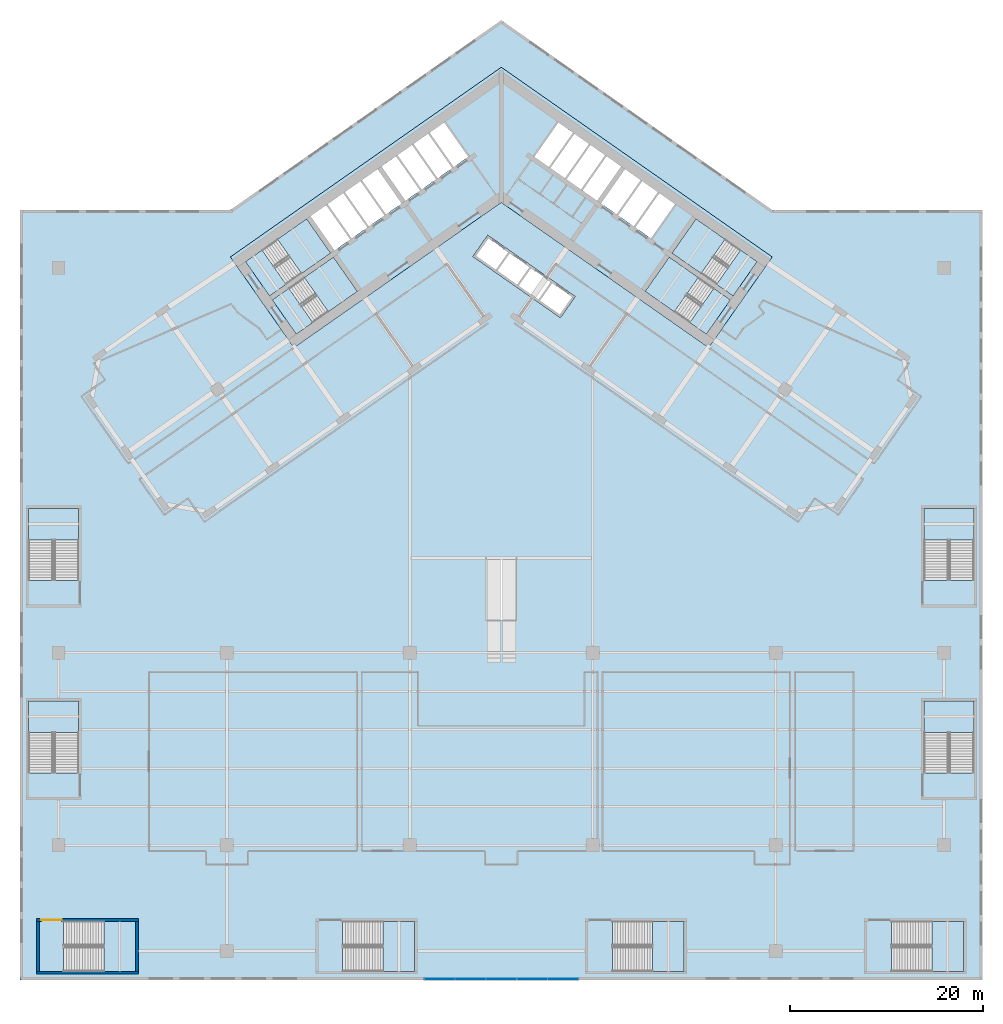
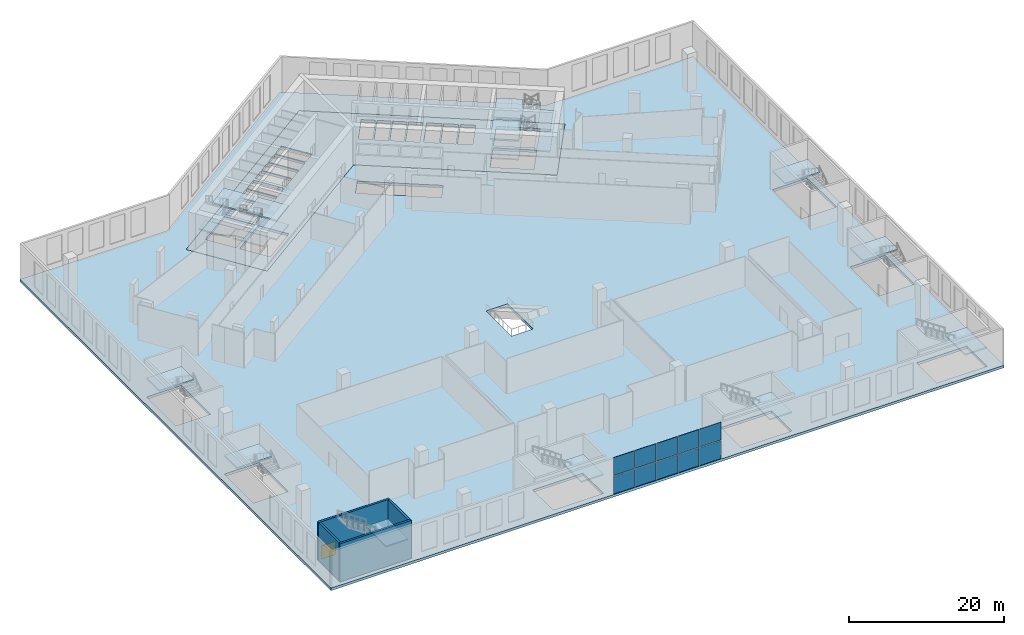
# One storey, part 4 of 25: 22 slabs, 10 plates, 4 walls, 1 door, 1 opening, 13 elements without a shape of their own.
"""IFC4 building model written with IfcOpenShell, lengths in metres."""

from ifc_helpers import new_model, si_unit, direction, frame, frame_2d, origin, origin_2d, place, context, subcontext, project, spatial, polyline, rectangle, outline, extrude, material, layer, layer_set, type_object, element, fill, aggregate, save


model = new_model("IFC4")

# Units and contexts
model_context = context("Model", 3, precision=1e-05, world=origin(), true_north=direction((0.0, 1.0)))
body_context = subcontext(model_context, "Body", "Model", "MODEL_VIEW")
ifc_project = project(units=[si_unit("LENGTHUNIT", "METRE"), si_unit("AREAUNIT", "SQUARE_METRE"), si_unit("VOLUMEUNIT", "CUBIC_METRE"), si_unit("PLANEANGLEUNIT", "RADIAN"), si_unit("MASSUNIT", "GRAM", prefix="KILO")], contexts=[model_context])

# Site, building, storey
site_placement = place(None, origin())
site = spatial("IfcSite", under=ifc_project, at=site_placement, CompositionType="ELEMENT")
building_placement = place(site_placement, origin())
building = spatial("IfcBuilding", under=site, at=building_placement, Name="Tel Ilan Convention Tower", CompositionType="ELEMENT")
storey_placement = place(building_placement, frame((0.0, 0.0, 26.0)))
storey = spatial("IfcBuildingStorey", under=building, at=storey_placement, Name="L03", CompositionType="ELEMENT", Elevation=26.0)

# Curtain wall, plates
ifc_material_1 = material(Name="Aluminium, bronze anodised", Category="aluminium")
curtain_wall_type = type_object("IfcCurtainWallType", Name="CW3 FOYER CURTAIN WALL, CLEAR GLASS", PredefinedType="NOTDEFINED", material=ifc_material_1)
curtain_wall_placement = place(storey_placement, origin())
curtain_wall = element("IfcCurtainWall", 1, at=curtain_wall_placement, inside=storey, type_object=curtain_wall_type, Name="Curtain wall CW3-06.F01", PredefinedType="NOTDEFINED")
ifc_material_2 = material(Name="Glass, clear, two-ply", Category="glass")
ifc_layer_1 = layer(ifc_material_2, 0.028076171875)
ifc_layer_set_1 = layer_set([ifc_layer_1], Name="CW FOYER GLASS PANEL 28")
plate_type = type_object("IfcPlateType", Name="CW FOYER GLASS PANEL 28", PredefinedType="CURTAIN_PANEL", material=ifc_layer_set_1)
plate_1_placement = place(storey_placement, frame((-6.39990234375, -81.89990234375, 0.0), z_axis=(0.0, 0.0, 1.0), x_axis=(1.0, 0.0, 0.0)))
plate_1 = element("IfcPlate", 2, at=plate_1_placement, type_object=plate_type, Name="Glass panel", PredefinedType="CURTAIN_PANEL", context=body_context, shape_type="SweptSolid", body=[
    extrude(rectangle(XDim=3.139892578125, YDim=0.028076171875, at=origin_2d()), origin(), (0.0, 0.0, 1.0), 2.800048828125),
])
plate_2_placement = place(storey_placement, frame((-6.39990234375, -81.89990234375, 2.919921875), z_axis=(0.0, 0.0, 1.0), x_axis=(1.0, 0.0, 0.0)))
plate_2 = element("IfcPlate", 3, at=plate_2_placement, type_object=plate_type, Name="Glass panel", PredefinedType="CURTAIN_PANEL", context=body_context, shape_type="SweptSolid", body=[
    extrude(rectangle(XDim=3.139892578125, YDim=0.028076171875, at=origin_2d()), origin(), (0.0, 0.0, 1.0), 2.800048828125),
])
plate_3_placement = place(storey_placement, frame((-3.199951171875, -81.89990234375, 0.0), z_axis=(0.0, 0.0, 1.0), x_axis=(1.0, 0.0, 0.0)))
plate_3 = element("IfcPlate", 4, at=plate_3_placement, type_object=plate_type, Name="Glass panel", PredefinedType="CURTAIN_PANEL", context=body_context, shape_type="SweptSolid", body=[
    extrude(rectangle(XDim=3.139892578125, YDim=0.028076171875, at=origin_2d()), origin(), (0.0, 0.0, 1.0), 2.800048828125),
])
plate_4_placement = place(storey_placement, frame((-3.199951171875, -81.89990234375, 2.919921875), z_axis=(0.0, 0.0, 1.0), x_axis=(1.0, 0.0, 0.0)))
plate_4 = element("IfcPlate", 5, at=plate_4_placement, type_object=plate_type, Name="Glass panel", PredefinedType="CURTAIN_PANEL", context=body_context, shape_type="SweptSolid", body=[
    extrude(rectangle(XDim=3.139892578125, YDim=0.028076171875, at=origin_2d()), origin(), (0.0, 0.0, 1.0), 2.800048828125),
])
plate_5_placement = place(storey_placement, frame((0.0, -81.89990234375, 0.0), z_axis=(0.0, 0.0, 1.0), x_axis=(1.0, 0.0, 0.0)))
plate_5 = element("IfcPlate", 6, at=plate_5_placement, type_object=plate_type, Name="Glass panel", PredefinedType="CURTAIN_PANEL", context=body_context, shape_type="SweptSolid", body=[
    extrude(rectangle(XDim=3.139892578125, YDim=0.028076171875, at=origin_2d()), origin(), (0.0, 0.0, 1.0), 2.800048828125),
])
plate_6_placement = place(storey_placement, frame((0.0, -81.89990234375, 2.919921875), z_axis=(0.0, 0.0, 1.0), x_axis=(1.0, 0.0, 0.0)))
plate_6 = element("IfcPlate", 7, at=plate_6_placement, type_object=plate_type, Name="Glass panel", PredefinedType="CURTAIN_PANEL", context=body_context, shape_type="SweptSolid", body=[
    extrude(rectangle(XDim=3.139892578125, YDim=0.028076171875, at=origin_2d()), origin(), (0.0, 0.0, 1.0), 2.800048828125),
])
plate_7_placement = place(storey_placement, frame((3.199951171875, -81.89990234375, 0.0), z_axis=(0.0, 0.0, 1.0), x_axis=(1.0, 0.0, 0.0)))
plate_7 = element("IfcPlate", 8, at=plate_7_placement, type_object=plate_type, Name="Glass panel", PredefinedType="CURTAIN_PANEL", context=body_context, shape_type="SweptSolid", body=[
    extrude(rectangle(XDim=3.139892578125, YDim=0.028076171875, at=origin_2d()), origin(), (0.0, 0.0, 1.0), 2.800048828125),
])
plate_8_placement = place(storey_placement, frame((3.199951171875, -81.89990234375, 2.919921875), z_axis=(0.0, 0.0, 1.0), x_axis=(1.0, 0.0, 0.0)))
plate_8 = element("IfcPlate", 9, at=plate_8_placement, type_object=plate_type, Name="Glass panel", PredefinedType="CURTAIN_PANEL", context=body_context, shape_type="SweptSolid", body=[
    extrude(rectangle(XDim=3.139892578125, YDim=0.028076171875, at=origin_2d()), origin(), (0.0, 0.0, 1.0), 2.800048828125),
])
plate_9_placement = place(storey_placement, frame((6.39990234375, -81.89990234375, 0.0), z_axis=(0.0, 0.0, 1.0), x_axis=(1.0, 0.0, 0.0)))
plate_9 = element("IfcPlate", 10, at=plate_9_placement, type_object=plate_type, Name="Glass panel", PredefinedType="CURTAIN_PANEL", context=body_context, shape_type="SweptSolid", body=[
    extrude(rectangle(XDim=3.139892578125, YDim=0.028076171875, at=origin_2d()), origin(), (0.0, 0.0, 1.0), 2.800048828125),
])
plate_10_placement = place(storey_placement, frame((6.39990234375, -81.89990234375, 2.919921875), z_axis=(0.0, 0.0, 1.0), x_axis=(1.0, 0.0, 0.0)))
plate_10 = element("IfcPlate", 11, at=plate_10_placement, type_object=plate_type, Name="Glass panel", PredefinedType="CURTAIN_PANEL", context=body_context, shape_type="SweptSolid", body=[
    extrude(rectangle(XDim=3.139892578125, YDim=0.028076171875, at=origin_2d()), origin(), (0.0, 0.0, 1.0), 2.800048828125),
])
aggregate(curtain_wall, [plate_1, plate_2, plate_3, plate_4, plate_5, plate_6, plate_7, plate_8, plate_9, plate_10])

# Stair, slabs
ifc_material_3 = material(Name="Concrete C40/50", Category="concrete")
stair_type = type_object("IfcStairType", Name="Pressurised Exit Stair 32 risers 188 mm", PredefinedType="HALF_TURN_STAIR", material=ifc_material_3)
stair_1_placement = place(storey_placement, origin())
stair_1 = element("IfcStair", 12, at=stair_1_placement, inside=storey, type_object=stair_type, Name="L03 Pressurised Stair S1", PredefinedType="HALF_TURN_STAIR")
ifc_material_4 = material(Name="Concrete C40/50", Category="concrete")
ifc_layer_2 = layer(ifc_material_4, 0.199951171875)
ifc_layer_set_2 = layer_set([ifc_layer_2], Name="Concrete Stair Landing 200 mm C40/50")
slab_type_1 = type_object("IfcSlabType", Name="Concrete Stair Landing 200 mm", PredefinedType="LANDING", material=ifc_layer_set_2)
slab_1_placement = place(storey_placement, frame((0.0, 0.0, 1.300048828125)))
slab_1 = element("IfcSlab", 13, at=slab_1_placement, type_object=slab_type_1, Name="S1 landing 1", PredefinedType="LANDING", context=body_context, shape_type="SweptSolid", body=[
    extrude(outline(polyline([(-20.754638671875, -8.61181640625), (-17.7314453125, -6.494873046875), (-20.226318359375, -2.931640625), (-23.249755859375, -5.048583984375), (-20.754638671875, -8.61181640625)])), origin(), (0.0, 0.0, 1.0), 0.199951171875),
])
slab_2_placement = place(storey_placement, frame((0.0, 0.0, 2.800048828125)))
slab_2 = element("IfcSlab", 14, at=slab_2_placement, type_object=slab_type_1, Name="S1 landing 2", PredefinedType="LANDING", context=body_context, shape_type="SweptSolid", body=[
    extrude(outline(polyline([(-24.079833984375, -10.940185546875), (-22.35888671875, -9.735107421875), (-24.85400390625, -6.171875), (-26.574951171875, -7.376708984375), (-24.079833984375, -10.940185546875)])), origin(), (0.0, 0.0, 1.0), 0.199951171875),
])
slab_3_placement = place(storey_placement, frame((0.0, 0.0, 4.300048828125)))
slab_3 = element("IfcSlab", 15, at=slab_3_placement, type_object=slab_type_1, Name="S1 landing 3", PredefinedType="LANDING", context=body_context, shape_type="SweptSolid", body=[
    extrude(outline(polyline([(-20.754638671875, -8.61181640625), (-17.7314453125, -6.494873046875), (-20.226318359375, -2.931640625), (-23.249755859375, -5.048583984375), (-20.754638671875, -8.61181640625)])), origin(), (0.0, 0.0, 1.0), 0.199951171875),
])
aggregate(stair_1, [slab_1, slab_2, slab_3])

stair_2_placement = place(storey_placement, origin())
stair_2 = element("IfcStair", 16, at=stair_2_placement, inside=storey, type_object=stair_type, Name="L03 Pressurised Stair S2", PredefinedType="HALF_TURN_STAIR")
slab_4_placement = place(storey_placement, frame((0.0, 0.0, 1.300048828125)))
slab_4 = element("IfcSlab", 17, at=slab_4_placement, type_object=slab_type_1, Name="S2 landing 1", PredefinedType="LANDING", context=body_context, shape_type="SweptSolid", body=[
    extrude(outline(polyline([(-17.972900390625, -12.584716796875), (-14.949462890625, -10.4677734375), (-17.444580078125, -6.904541015625), (-20.468017578125, -9.021484375), (-17.972900390625, -12.584716796875)])), origin(), (0.0, 0.0, 1.0), 0.199951171875),
])
slab_5_placement = place(storey_placement, frame((0.0, 0.0, 2.800048828125)))
slab_5 = element("IfcSlab", 18, at=slab_5_placement, type_object=slab_type_1, Name="S2 landing 2", PredefinedType="LANDING", context=body_context, shape_type="SweptSolid", body=[
    extrude(outline(polyline([(-21.2978515625, -14.9130859375), (-19.5771484375, -13.7080078125), (-22.072021484375, -10.144775390625), (-23.79296875, -11.349609375), (-21.2978515625, -14.9130859375)])), origin(), (0.0, 0.0, 1.0), 0.199951171875),
])
slab_6_placement = place(storey_placement, frame((0.0, 0.0, 4.300048828125)))
slab_6 = element("IfcSlab", 19, at=slab_6_placement, type_object=slab_type_1, Name="S2 landing 3", PredefinedType="LANDING", context=body_context, shape_type="SweptSolid", body=[
    extrude(outline(polyline([(-17.972900390625, -12.584716796875), (-14.949462890625, -10.4677734375), (-17.444580078125, -6.904541015625), (-20.468017578125, -9.021484375), (-17.972900390625, -12.584716796875)])), origin(), (0.0, 0.0, 1.0), 0.199951171875),
])
aggregate(stair_2, [slab_4, slab_5, slab_6])

stair_3_placement = place(storey_placement, origin())
stair_3 = element("IfcStair", 20, at=stair_3_placement, inside=storey, type_object=stair_type, Name="L03 Pressurised Stair S3", PredefinedType="HALF_TURN_STAIR")
slab_7_placement = place(storey_placement, frame((0.0, 0.0, 1.300048828125)))
slab_7 = element("IfcSlab", 21, at=slab_7_placement, type_object=slab_type_1, Name="S3 landing 1", PredefinedType="LANDING", context=body_context, shape_type="SweptSolid", body=[
    extrude(outline(polyline([(23.249755859375, -5.048583984375), (20.226318359375, -2.931640625), (17.7314453125, -6.494873046875), (20.754638671875, -8.61181640625), (23.249755859375, -5.048583984375)])), origin(), (0.0, 0.0, 1.0), 0.199951171875),
])
slab_8_placement = place(storey_placement, frame((0.0, 0.0, 2.800048828125)))
slab_8 = element("IfcSlab", 22, at=slab_8_placement, type_object=slab_type_1, Name="S3 landing 2", PredefinedType="LANDING", context=body_context, shape_type="SweptSolid", body=[
    extrude(outline(polyline([(26.574951171875, -7.376708984375), (24.85400390625, -6.171875), (22.35888671875, -9.735107421875), (24.079833984375, -10.940185546875), (26.574951171875, -7.376708984375)])), origin(), (0.0, 0.0, 1.0), 0.199951171875),
])
slab_9_placement = place(storey_placement, frame((0.0, 0.0, 4.300048828125)))
slab_9 = element("IfcSlab", 23, at=slab_9_placement, type_object=slab_type_1, Name="S3 landing 3", PredefinedType="LANDING", context=body_context, shape_type="SweptSolid", body=[
    extrude(outline(polyline([(23.249755859375, -5.048583984375), (20.226318359375, -2.931640625), (17.7314453125, -6.494873046875), (20.754638671875, -8.61181640625), (23.249755859375, -5.048583984375)])), origin(), (0.0, 0.0, 1.0), 0.199951171875),
])
aggregate(stair_3, [slab_7, slab_8, slab_9])

stair_4_placement = place(storey_placement, origin())
stair_4 = element("IfcStair", 24, at=stair_4_placement, inside=storey, type_object=stair_type, Name="L03 Pressurised Stair S4", PredefinedType="HALF_TURN_STAIR")
slab_10_placement = place(storey_placement, frame((0.0, 0.0, 1.300048828125)))
slab_10 = element("IfcSlab", 25, at=slab_10_placement, type_object=slab_type_1, Name="S4 landing 1", PredefinedType="LANDING", context=body_context, shape_type="SweptSolid", body=[
    extrude(outline(polyline([(20.468017578125, -9.021484375), (17.444580078125, -6.904541015625), (14.949462890625, -10.4677734375), (17.972900390625, -12.584716796875), (20.468017578125, -9.021484375)])), origin(), (0.0, 0.0, 1.0), 0.199951171875),
])
slab_11_placement = place(storey_placement, frame((0.0, 0.0, 2.800048828125)))
slab_11 = element("IfcSlab", 26, at=slab_11_placement, type_object=slab_type_1, Name="S4 landing 2", PredefinedType="LANDING", context=body_context, shape_type="SweptSolid", body=[
    extrude(outline(polyline([(23.79296875, -11.349609375), (22.072021484375, -10.144775390625), (19.5771484375, -13.7080078125), (21.2978515625, -14.9130859375), (23.79296875, -11.349609375)])), origin(), (0.0, 0.0, 1.0), 0.199951171875),
])
slab_12_placement = place(storey_placement, frame((0.0, 0.0, 4.300048828125)))
slab_12 = element("IfcSlab", 27, at=slab_12_placement, type_object=slab_type_1, Name="S4 landing 3", PredefinedType="LANDING", context=body_context, shape_type="SweptSolid", body=[
    extrude(outline(polyline([(20.468017578125, -9.021484375), (17.444580078125, -6.904541015625), (14.949462890625, -10.4677734375), (17.972900390625, -12.584716796875), (20.468017578125, -9.021484375)])), origin(), (0.0, 0.0, 1.0), 0.199951171875),
])
aggregate(stair_4, [slab_10, slab_11, slab_12])

# Stair, slab
stair_5_placement = place(storey_placement, origin())
stair_5 = element("IfcStair", 28, at=stair_5_placement, inside=storey, type_object=stair_type, Name="L03 Podium Exit Stair P1", PredefinedType="HALF_TURN_STAIR")
slab_13_placement = place(storey_placement, frame((0.0, 0.0, 2.800048828125)))
slab_13 = element("IfcSlab", 29, at=slab_13_placement, type_object=slab_type_1, Name="P1 landing 1", PredefinedType="LANDING", context=body_context, shape_type="SweptSolid", body=[
    extrude(outline(polyline([(-41.27587890625, -81.10009765625), (-38.0, -81.10009765625), (-38.0, -75.89990234375), (-41.27587890625, -75.89990234375), (-41.27587890625, -81.10009765625)])), origin(), (0.0, 0.0, 1.0), 0.199951171875),
])
aggregate(stair_5, [slab_13])

stair_6_placement = place(storey_placement, origin())
stair_6 = element("IfcStair", 30, at=stair_6_placement, inside=storey, type_object=stair_type, Name="L03 Podium Exit Stair P2", PredefinedType="HALF_TURN_STAIR")
slab_14_placement = place(storey_placement, frame((0.0, 0.0, 2.800048828125)))
slab_14 = element("IfcSlab", 31, at=slab_14_placement, type_object=slab_type_1, Name="P2 landing 1", PredefinedType="LANDING", context=body_context, shape_type="SweptSolid", body=[
    extrude(outline(polyline([(-12.27587890625, -81.10009765625), (-9.0, -81.10009765625), (-9.0, -75.89990234375), (-12.27587890625, -75.89990234375), (-12.27587890625, -81.10009765625)])), origin(), (0.0, 0.0, 1.0), 0.199951171875),
])
aggregate(stair_6, [slab_14])

stair_7_placement = place(storey_placement, origin())
stair_7 = element("IfcStair", 32, at=stair_7_placement, inside=storey, type_object=stair_type, Name="L03 Podium Exit Stair P3", PredefinedType="HALF_TURN_STAIR")
slab_15_placement = place(storey_placement, frame((0.0, 0.0, 2.800048828125)))
slab_15 = element("IfcSlab", 33, at=slab_15_placement, type_object=slab_type_1, Name="P3 landing 1", PredefinedType="LANDING", context=body_context, shape_type="SweptSolid", body=[
    extrude(outline(polyline([(15.72412109375, -81.10009765625), (19.0, -81.10009765625), (19.0, -75.89990234375), (15.72412109375, -75.89990234375), (15.72412109375, -81.10009765625)])), origin(), (0.0, 0.0, 1.0), 0.199951171875),
])
aggregate(stair_7, [slab_15])

stair_8_placement = place(storey_placement, origin())
stair_8 = element("IfcStair", 34, at=stair_8_placement, inside=storey, type_object=stair_type, Name="L03 Podium Exit Stair P4", PredefinedType="HALF_TURN_STAIR")
slab_16_placement = place(storey_placement, frame((0.0, 0.0, 2.800048828125)))
slab_16 = element("IfcSlab", 35, at=slab_16_placement, type_object=slab_type_1, Name="P4 landing 1", PredefinedType="LANDING", context=body_context, shape_type="SweptSolid", body=[
    extrude(outline(polyline([(44.72412109375, -81.10009765625), (48.0, -81.10009765625), (48.0, -75.89990234375), (44.72412109375, -75.89990234375), (44.72412109375, -81.10009765625)])), origin(), (0.0, 0.0, 1.0), 0.199951171875),
])
aggregate(stair_8, [slab_16])

stair_9_placement = place(storey_placement, origin())
stair_9 = element("IfcStair", 36, at=stair_9_placement, inside=storey, type_object=stair_type, Name="L03 Podium Exit Stair P5", PredefinedType="HALF_TURN_STAIR")
slab_17_placement = place(storey_placement, frame((0.0, 0.0, 2.800048828125)))
slab_17 = element("IfcSlab", 37, at=slab_17_placement, type_object=slab_type_1, Name="P5 landing 1", PredefinedType="LANDING", context=body_context, shape_type="SweptSolid", body=[
    extrude(outline(polyline([(-43.89990234375, -56.27587890625), (-43.89990234375, -53.0), (-49.10009765625, -53.0), (-49.10009765625, -56.27587890625), (-43.89990234375, -56.27587890625)])), origin(), (0.0, 0.0, 1.0), 0.199951171875),
])
aggregate(stair_9, [slab_17])

stair_10_placement = place(storey_placement, origin())
stair_10 = element("IfcStair", 38, at=stair_10_placement, inside=storey, type_object=stair_type, Name="L03 Podium Exit Stair P6", PredefinedType="HALF_TURN_STAIR")
slab_18_placement = place(storey_placement, frame((0.0, 0.0, 2.800048828125)))
slab_18 = element("IfcSlab", 39, at=slab_18_placement, type_object=slab_type_1, Name="P6 landing 1", PredefinedType="LANDING", context=body_context, shape_type="SweptSolid", body=[
    extrude(outline(polyline([(49.10009765625, -56.27587890625), (49.10009765625, -53.0), (43.89990234375, -53.0), (43.89990234375, -56.27587890625), (49.10009765625, -56.27587890625)])), origin(), (0.0, 0.0, 1.0), 0.199951171875),
])
aggregate(stair_10, [slab_18])

stair_11_placement = place(storey_placement, origin())
stair_11 = element("IfcStair", 40, at=stair_11_placement, inside=storey, type_object=stair_type, Name="L03 Podium Exit Stair P7", PredefinedType="HALF_TURN_STAIR")
slab_19_placement = place(storey_placement, frame((0.0, 0.0, 2.800048828125)))
slab_19 = element("IfcSlab", 41, at=slab_19_placement, type_object=slab_type_1, Name="P7 landing 1", PredefinedType="LANDING", context=body_context, shape_type="SweptSolid", body=[
    extrude(outline(polyline([(-43.89990234375, -36.27587890625), (-43.89990234375, -33.0), (-49.10009765625, -33.0), (-49.10009765625, -36.27587890625), (-43.89990234375, -36.27587890625)])), origin(), (0.0, 0.0, 1.0), 0.199951171875),
])
aggregate(stair_11, [slab_19])

stair_12_placement = place(storey_placement, origin())
stair_12 = element("IfcStair", 42, at=stair_12_placement, inside=storey, type_object=stair_type, Name="L03 Podium Exit Stair P8", PredefinedType="HALF_TURN_STAIR")
slab_20_placement = place(storey_placement, frame((0.0, 0.0, 2.800048828125)))
slab_20 = element("IfcSlab", 43, at=slab_20_placement, type_object=slab_type_1, Name="P8 landing 1", PredefinedType="LANDING", context=body_context, shape_type="SweptSolid", body=[
    extrude(outline(polyline([(49.10009765625, -36.27587890625), (49.10009765625, -33.0), (43.89990234375, -33.0), (43.89990234375, -36.27587890625), (49.10009765625, -36.27587890625)])), origin(), (0.0, 0.0, 1.0), 0.199951171875),
])
aggregate(stair_12, [slab_20])

# Slabs
ifc_material_5 = material(Name="Concrete C40/50", Category="concrete")
ifc_layer_3 = layer(ifc_material_5, 0.39990234375)
ifc_layer_set_3 = layer_set([ifc_layer_3], Name="Core Floor Slab 400 mm C40/50")
slab_type_2 = type_object("IfcSlabType", Name="Core Floor Slab 400 mm C40/50", PredefinedType="FLOOR", material=ifc_layer_set_3)
slab_21_placement = place(storey_placement, frame((0.0, 0.0, -0.39990234375)))
element("IfcSlab", 44, at=slab_21_placement, inside=storey, type_object=slab_type_2, Name="L03 core floor 1", PredefinedType="FLOOR", context=body_context, shape_type="SweptSolid", body=[
    extrude(outline(polyline([(-28.1396484375, -6.885498046875), (0.0, 12.818115234375), (28.1396484375, -6.885498046875), (21.54345703125, -16.3056640625), (0.0, -1.220703125), (-21.54345703125, -16.3056640625), (-28.1396484375, -6.885498046875)]), holes=[polyline([(-19.5771484375, -13.7080078125), (-14.949462890625, -10.4677734375), (-17.444580078125, -6.904541015625), (-22.072021484375, -10.144775390625), (-19.5771484375, -13.7080078125)]), polyline([(-22.35888671875, -9.735107421875), (-17.7314453125, -6.494873046875), (-20.226318359375, -2.931640625), (-24.85400390625, -6.171875), (-22.35888671875, -9.735107421875)]), polyline([(-15.7041015625, -5.0751953125), (-18.198974609375, -1.511962890625), (-19.81689453125, -2.644775390625), (-17.32177734375, -6.2080078125), (-15.7041015625, -5.0751953125)]), polyline([(-13.92236328125, -3.827880859375), (-16.41748046875, -0.264404296875), (-18.03515625, -1.397216796875), (-15.5400390625, -4.960693359375), (-13.92236328125, -3.827880859375)]), polyline([(-12.140625, -2.580078125), (-14.6357421875, 0.983154296875), (-16.25341796875, -0.149658203125), (-13.758544921875, -3.712890625), (-12.140625, -2.580078125)]), polyline([(-10.35888671875, -1.332763671875), (-12.85400390625, 2.230712890625), (-14.471923828125, 1.097900390625), (-11.976806640625, -2.465576171875), (-10.35888671875, -1.332763671875)]), polyline([(-8.444091796875, 0.008056640625), (-10.939208984375, 3.5712890625), (-12.444580078125, 2.517333984375), (-9.949462890625, -1.0458984375), (-8.444091796875, 0.008056640625)]), polyline([(-6.775146484375, 1.1767578125), (-9.270263671875, 4.739990234375), (-10.775390625, 3.68603515625), (-8.280517578125, 0.122802734375), (-6.775146484375, 1.1767578125)]), polyline([(-5.106201171875, 2.345458984375), (-7.601318359375, 5.90869140625), (-9.1064453125, 4.854736328125), (-6.611328125, 1.29150390625), (-5.106201171875, 2.345458984375)]), polyline([(-3.437255859375, 3.513916015625), (-5.93212890625, 7.077392578125), (-7.4375, 6.0234375), (-4.9423828125, 2.460205078125), (-3.437255859375, 3.513916015625)]), polyline([(22.072021484375, -10.144775390625), (17.444580078125, -6.904541015625), (14.949462890625, -10.4677734375), (19.5771484375, -13.7080078125), (22.072021484375, -10.144775390625)]), polyline([(24.85400390625, -6.171875), (20.226318359375, -2.931640625), (17.7314453125, -6.494873046875), (22.35888671875, -9.735107421875), (24.85400390625, -6.171875)]), polyline([(13.92236328125, -3.827880859375), (15.5400390625, -4.960693359375), (18.03515625, -1.397216796875), (16.41748046875, -0.264404296875), (13.92236328125, -3.827880859375)]), polyline([(12.140625, -2.580078125), (13.758544921875, -3.712890625), (16.25341796875, -0.149658203125), (14.6357421875, 0.983154296875), (12.140625, -2.580078125)]), polyline([(10.35888671875, -1.332763671875), (11.976806640625, -2.465576171875), (14.471923828125, 1.097900390625), (12.85400390625, 2.230712890625), (10.35888671875, -1.332763671875)]), polyline([(8.444091796875, 0.008056640625), (9.949462890625, -1.0458984375), (12.444580078125, 2.517333984375), (10.939208984375, 3.5712890625), (8.444091796875, 0.008056640625)]), polyline([(6.775146484375, 1.1767578125), (8.280517578125, 0.122802734375), (10.775390625, 3.68603515625), (9.270263671875, 4.739990234375), (6.775146484375, 1.1767578125)]), polyline([(5.106201171875, 2.345458984375), (6.611328125, 1.29150390625), (9.1064453125, 4.854736328125), (7.601318359375, 5.90869140625), (5.106201171875, 2.345458984375)]), polyline([(3.437255859375, 3.513916015625), (4.9423828125, 2.460205078125), (7.4375, 6.0234375), (5.93212890625, 7.077392578125), (3.437255859375, 3.513916015625)])]), origin(), (0.0, 0.0, 1.0), 0.39990234375),
])
ifc_material_6 = material(Name="Concrete C40/50", Category="concrete")
ifc_layer_4 = layer(ifc_material_6, 0.39990234375)
ifc_layer_set_4 = layer_set([ifc_layer_4], Name="Podium Floor Slab 400 mm C40/50")
slab_type_3 = type_object("IfcSlabType", Name="Podium Floor Slab 400 mm C40/50", PredefinedType="FLOOR", material=ifc_layer_set_4)
slab_22_placement = place(storey_placement, frame((0.0, 0.0, -0.39990234375)))
element("IfcSlab", 45, at=slab_22_placement, inside=storey, type_object=slab_type_3, Name="L03 floor slab", PredefinedType="FLOOR", context=body_context, shape_type="SweptSolid", body=[
    extrude(outline(polyline([(-50.0, -2.0), (-28.13623046875, -2.0), (0.0, 17.701171875), (28.13623046875, -2.0), (50.0, -2.0), (50.0, -82.0), (-50.0, -82.0), (-50.0, -2.0)]), holes=[polyline([(43.89990234375, -53.0), (43.89990234375, -60.47412109375), (49.10009765625, -60.47412109375), (49.10009765625, -53.0), (43.89990234375, -53.0)]), polyline([(49.10009765625, -33.0), (43.89990234375, -33.0), (43.89990234375, -40.47412109375), (49.10009765625, -40.47412109375), (49.10009765625, -33.0)]), polyline([(48.0, -75.89990234375), (40.52587890625, -75.89990234375), (40.52587890625, -81.10009765625), (48.0, -81.10009765625), (48.0, -75.89990234375)]), polyline([(21.54345703125, -16.3056640625), (28.1396484375, -6.885498046875), (0.0, 12.818115234375), (-28.1396484375, -6.885498046875), (-21.54345703125, -16.3056640625), (0.0, -1.220703125), (21.54345703125, -16.3056640625)]), polyline([(11.52587890625, -75.89990234375), (11.52587890625, -81.10009765625), (19.0, -81.10009765625), (19.0, -75.89990234375), (11.52587890625, -75.89990234375)]), polyline([(6.13427734375, -13.206787109375), (7.682861328125, -10.9951171875), (-1.40966796875, -4.62841796875), (-2.95849609375, -6.840087890625), (6.13427734375, -13.206787109375)]), polyline([(-1.60009765625, -38.1435546875), (-1.60009765625, -44.6435546875), (1.60009765625, -44.6435546875), (1.60009765625, -38.1435546875), (-1.60009765625, -38.1435546875)]), polyline([(-16.47412109375, -75.89990234375), (-16.47412109375, -81.10009765625), (-9.0, -81.10009765625), (-9.0, -75.89990234375), (-16.47412109375, -75.89990234375)]), polyline([(-45.47412109375, -75.89990234375), (-45.47412109375, -81.10009765625), (-38.0, -81.10009765625), (-38.0, -75.89990234375), (-45.47412109375, -75.89990234375)]), polyline([(-49.10009765625, -33.0), (-49.10009765625, -40.47412109375), (-43.89990234375, -40.47412109375), (-43.89990234375, -33.0), (-49.10009765625, -33.0)]), polyline([(-43.89990234375, -53.0), (-49.10009765625, -53.0), (-49.10009765625, -60.47412109375), (-43.89990234375, -60.47412109375), (-43.89990234375, -53.0)])]), origin(), (0.0, 0.0, 1.0), 0.39990234375),
])

# Wall
ifc_material_7 = material(Name="Concrete C40/50", Category="concrete")
ifc_layer_5 = layer(ifc_material_7, 0.300048828125)
ifc_layer_set_5 = layer_set([ifc_layer_5], Name="Stair Enclosure Wall 300 mm C40/50")
wall_type = type_object("IfcWallType", Name="Stair Enclosure Wall 300 mm C40/50", PredefinedType="SOLIDWALL", material=ifc_layer_set_5)
wall_1_placement = place(storey_placement, frame((-48.300048828125, -81.25, 0.0), z_axis=(0.0, 0.0, 1.0), x_axis=(1.0, 0.0, 0.0)))
element("IfcWall", 46, at=wall_1_placement, inside=storey, type_object=wall_type, Name="P1 stair enclosure wall S L03", PredefinedType="SOLIDWALL", context=body_context, shape_type="SweptSolid", body=[
    extrude(rectangle(XDim=10.60009765625, YDim=0.300048828125, at=frame_2d((5.300048828125, 0.0))), origin(), (0.0, 0.0, 1.0), 6.0),
])

# Wall, opening, door
wall_2_placement = place(storey_placement, frame((-48.300048828125, -75.75, 0.0), z_axis=(0.0, 0.0, 1.0), x_axis=(1.0, 0.0, 0.0)))
wall_2 = element("IfcWall", 47, at=wall_2_placement, inside=storey, type_object=wall_type, Name="P1 stair enclosure wall N L03", PredefinedType="SOLIDWALL", context=body_context, shape_type="SweptSolid", body=[
    extrude(rectangle(XDim=10.60009765625, YDim=0.300048828125, at=frame_2d((5.300048828125, 0.0))), origin(), (0.0, 0.0, 1.0), 6.0),
])
opening_placement = place(wall_2_placement, frame((0.512451171875, 0.0, 0.0)))
opening = element("IfcOpeningElement", 48, at=opening_placement, cuts=wall_2, Name="Opening PD106", PredefinedType="OPENING", context=body_context, shape_type="SweptSolid", body=[
    extrude(rectangle(XDim=2.10009765625, YDim=2.10009765625, at=frame_2d((1.050048828125, 1.050048828125))), frame((0.0, 0.159912109375, 0.0), z_axis=(0.0, -1.0, 0.0), x_axis=(1.0, 0.0, 0.0)), (0.0, 0.0, 1.0), 0.320068359375),
])
ifc_material_8 = material(Name="Galvanised Steel Door Leaf", Category="steel")
door_type = type_object("IfcDoorType", Name="Stair Fire Door 2100 x 2100 FD60S", OperationType="NOTDEFINED", PredefinedType="DOOR", material=ifc_material_8)
door_placement = place(opening_placement, origin())
door = element("IfcDoor", 49, at=door_placement, inside=storey, type_object=door_type, Name="Stair P1 floor door", OperationType="DOUBLE_DOOR_SINGLE_SWING", OverallHeight=2.10009765625, OverallWidth=2.10009765625, PredefinedType="DOOR", context=body_context, shape_type="SweptSolid", body=[
    extrude(rectangle(XDim=2.10009765625, YDim=2.10009765625, at=frame_2d((1.050048828125, 1.050048828125))), frame((0.0, 0.02490234375, 0.0), z_axis=(0.0, -1.0, 0.0), x_axis=(1.0, 0.0, 0.0)), (0.0, 0.0, 1.0), 0.050048828125),
])
fill(opening, door)

# Walls
for number, where, z_axis, x_axis, name in (
    (50, (-48.14990234375, -81.10009765625, 0.0), (0.0, 0.0, 1.0), (0.0, 1.0, 0.0), "P1 stair enclosure wall W L03"),
    (51, (-37.85009765625, -81.10009765625, 0.0), (0.0, 0.0, 1.0), (0.0, 1.0, 0.0), "P1 stair enclosure wall E L03"),
):
    element("IfcWall", number, at=place(storey_placement, frame(where, z_axis=z_axis, x_axis=x_axis)), inside=storey, type_object=wall_type, Name=name, PredefinedType="SOLIDWALL", context=body_context, shape_type="SweptSolid", body=[
        extrude(rectangle(XDim=5.2001953125, YDim=0.300048828125, at=frame_2d((2.60009765625, 0.0))), origin(), (0.0, 0.0, 1.0), 6.0),
    ])

save(model, "model.ifc")
